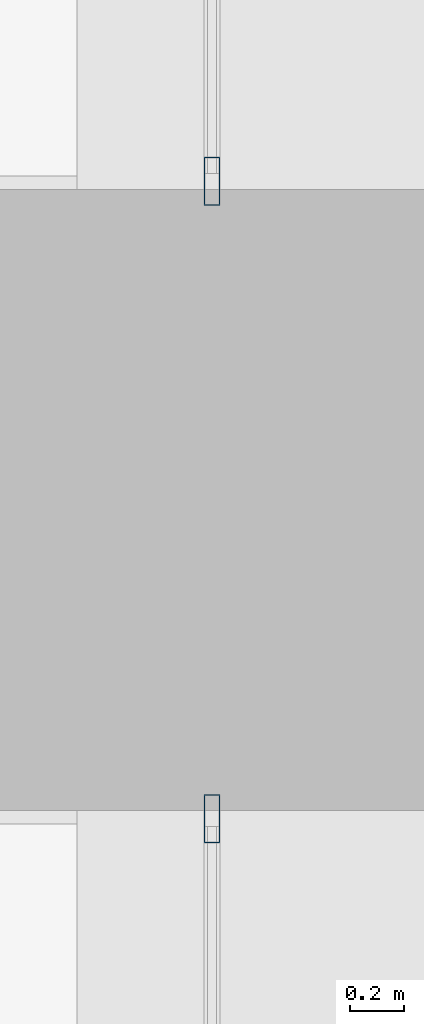
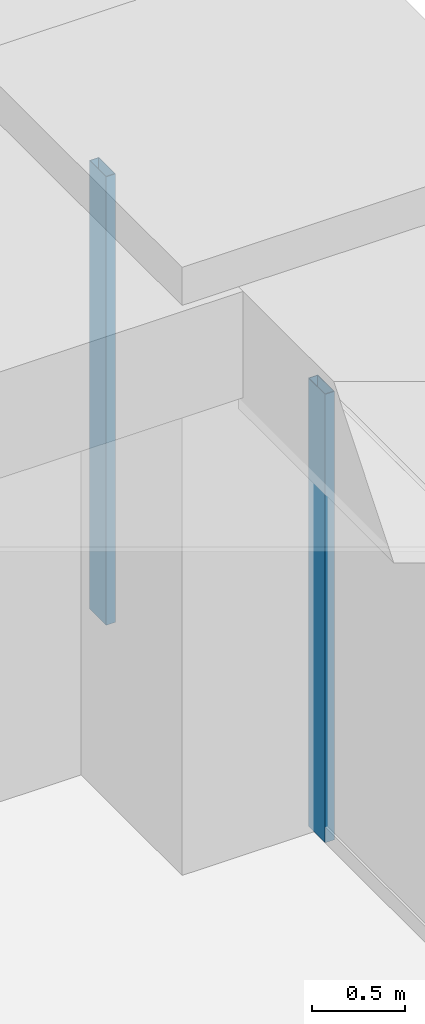
# One storey, part 22 of 44: 2 members, 2 elements without a shape of their own.
"""IFC4 building model written with IfcOpenShell, lengths in metres."""

from ifc_helpers import new_model, si_unit, direction, frame, origin, origin_2d, place, context, subcontext, project, spatial, hollow_rectangle, extrude, material, material_profile, profile_set, type_object, element, aggregate, save


model = new_model("IFC4")

# Units and contexts
model_context = context("Model", 3, precision=1e-05, world=origin(), true_north=direction((0.0, 1.0)))
body_context = subcontext(model_context, "Body", "Model", "MODEL_VIEW")
ifc_project = project(units=[si_unit("LENGTHUNIT", "METRE"), si_unit("AREAUNIT", "SQUARE_METRE"), si_unit("VOLUMEUNIT", "CUBIC_METRE"), si_unit("PLANEANGLEUNIT", "RADIAN"), si_unit("MASSUNIT", "GRAM", prefix="KILO")], contexts=[model_context])

# Site, building, storey
site_placement = place(None, origin())
site = spatial("IfcSite", under=ifc_project, at=site_placement, CompositionType="ELEMENT")
building_placement = place(site_placement, origin())
building = spatial("IfcBuilding", under=site, at=building_placement, Name="Zorevar Civic Tower", CompositionType="ELEMENT")
storey_placement = place(building_placement, frame((0.0, 0.0, 63.800048828125)))
storey = spatial("IfcBuildingStorey", under=building, at=storey_placement, Name="L15", CompositionType="ELEMENT", Elevation=63.800048828125)

# Curtain wall, member
ifc_material_1 = material(Name="Dark grey solar-control glass in black aluminium frame", Category="aluminium")
curtain_wall_type = type_object("IfcCurtainWallType", Name="Curtain wall CW2 low zone", PredefinedType="NOTDEFINED", material=ifc_material_1)
curtain_wall_1_placement = place(storey_placement, origin())
curtain_wall_1 = element("IfcCurtainWall", 1, at=curtain_wall_1_placement, inside=storey, type_object=curtain_wall_type, Name="CW2 L15", PredefinedType="NOTDEFINED")
ifc_material_2 = material(Name="Aluminium, black anodised", Category="aluminium")
ifc_material_profile = material_profile(ifc_material_2, hollow_rectangle(XDim=0.06005859375, YDim=0.179931640625, WallThickness=0.00390625, at=origin_2d()), Name="AL 180x60x4")
ifc_profile_set = profile_set([ifc_material_profile], Name="Aluminium, black anodised")
member_type = type_object("IfcMemberType", Name="CW2 mullion AL 180x60x4", PredefinedType="MULLION", material=ifc_profile_set)
member_1_placement = place(storey_placement, frame((62.699951171875, 25.820068359375, 0.0), z_axis=(0.0, 0.0, 1.0), x_axis=(-1.0, 0.0, 0.0)))
member_1 = element("IfcMember", 2, at=member_1_placement, type_object=member_type, Name="CW2 mullion 3", PredefinedType="MULLION", context=body_context, shape_type="SweptSolid", body=[
    extrude(hollow_rectangle(XDim=0.06005859375, YDim=0.179931640625, WallThickness=0.00390625, at=origin_2d()), origin(), (0.0, 0.0, 1.0), 2.949951171875),
])
aggregate(curtain_wall_1, [member_1])

curtain_wall_2_placement = place(storey_placement, origin())
curtain_wall_2 = element("IfcCurtainWall", 3, at=curtain_wall_2_placement, inside=storey, type_object=curtain_wall_type, Name="CW2 L15", PredefinedType="NOTDEFINED")
member_2_placement = place(storey_placement, frame((62.699951171875, 28.179931640625, 0.0), z_axis=(0.0, 0.0, 1.0), x_axis=(-1.0, 0.0, 0.0)))
member_2 = element("IfcMember", 4, at=member_2_placement, type_object=member_type, Name="CW2 mullion 1", PredefinedType="MULLION", context=body_context, shape_type="SweptSolid", body=[
    extrude(hollow_rectangle(XDim=0.06005859375, YDim=0.179931640625, WallThickness=0.00390625, at=origin_2d()), origin(), (0.0, 0.0, 1.0), 2.949951171875),
])
aggregate(curtain_wall_2, [member_2])

save(model, "model.ifc")
